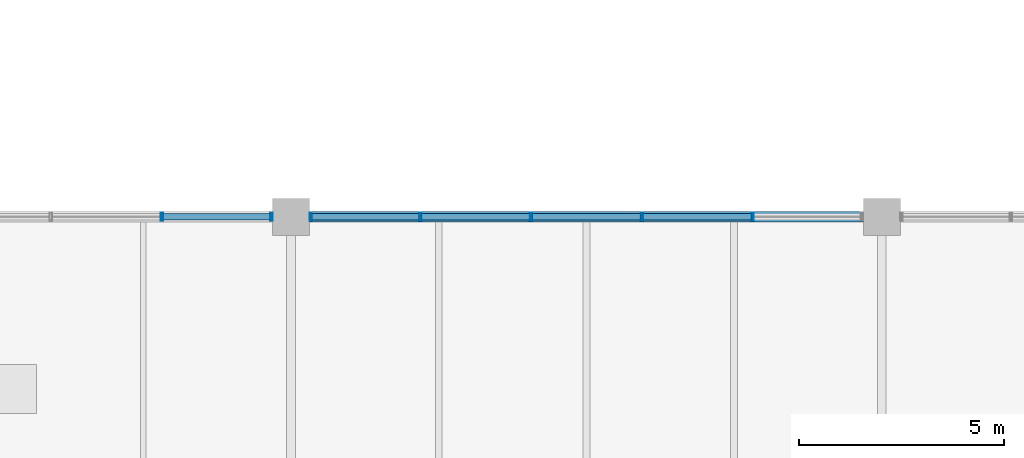
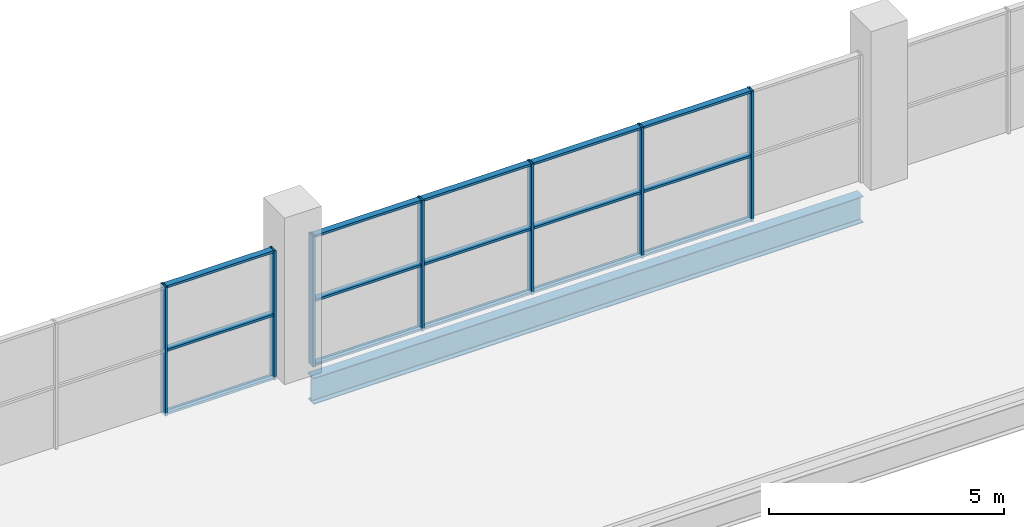
# One storey, part 25 of 93: 22 members, 1 beam, 2 elements without a shape of their own.
"""IFC4 building model written with IfcOpenShell, lengths in metres."""

from ifc_helpers import new_model, si_unit, direction, frame, origin, origin_2d, place, context, subcontext, project, spatial, hollow_rectangle, i_section, extrude, material, material_profile, profile_set, type_object, element, aggregate, save


model = new_model("IFC4")

# Units and contexts
model_context = context("Model", 3, precision=1e-05, world=origin(), true_north=direction((0.0, 1.0)))
body_context = subcontext(model_context, "Body", "Model", "MODEL_VIEW")
ifc_project = project(units=[si_unit("LENGTHUNIT", "METRE"), si_unit("AREAUNIT", "SQUARE_METRE"), si_unit("VOLUMEUNIT", "CUBIC_METRE"), si_unit("PLANEANGLEUNIT", "RADIAN"), si_unit("MASSUNIT", "GRAM", prefix="KILO"), si_unit("THERMODYNAMICTEMPERATUREUNIT", "KELVIN")], contexts=[model_context])

# Site, building, storey
site_placement = place(None, origin())
site = spatial("IfcSite", under=ifc_project, at=site_placement, CompositionType="ELEMENT")
building_placement = place(site_placement, origin())
building = spatial("IfcBuilding", under=site, at=building_placement, Name="Nduvali Passage Aquatics Centre", CompositionType="ELEMENT")
storey_placement = place(building_placement, frame((0.0, 0.0, 9.0)))
storey = spatial("IfcBuildingStorey", under=building, at=storey_placement, Name="L02", CompositionType="ELEMENT", Elevation=9.0)

# Curtain wall, members
ifc_material_1 = material(Name="Aluminium EN AW-6063 T6", Category="aluminium")
curtain_wall_type = type_object("IfcCurtainWallType", Name="ENV-CW-CLER", PredefinedType="NOTDEFINED", material=ifc_material_1)
curtain_wall_1_placement = place(storey_placement, origin())
curtain_wall_1 = element("IfcCurtainWall", 1, at=curtain_wall_1_placement, inside=storey, type_object=curtain_wall_type, Name="L02 South Pool Hall Eave Clerestory 049", PredefinedType="NOTDEFINED")
ifc_material_profile_1 = material_profile(ifc_material_1, hollow_rectangle(XDim=0.06005859375, YDim=0.199951171875, WallThickness=0.00390625, at=origin_2d()), Name="ALU MULLION 60x200x4")
ifc_profile_set_1 = profile_set([ifc_material_profile_1], Name="Aluminium EN AW-6063 T6")
member_type_1 = type_object("IfcMemberType", Name="ENV-MEM-MUL80", PredefinedType="MULLION", material=ifc_profile_set_1)
member_1_placement = place(storey_placement, frame((79.64990234375, 25.199951171875, 0.0), z_axis=(0.0, 0.0, 1.0), x_axis=(1.0, 0.0, 0.0)))
member_1 = element("IfcMember", 2, at=member_1_placement, type_object=member_type_1, Name="South Pool Hall Eave Clerestory Mullion 5", PredefinedType="MULLION", context=body_context, shape_type="SweptSolid", body=[
    extrude(hollow_rectangle(XDim=0.06005859375, YDim=0.199951171875, WallThickness=0.00390625, at=origin_2d()), origin(), (0.0, 0.0, 1.0), 3.3525390625),
])
member_2_placement = place(storey_placement, frame((82.320068359375, 25.199951171875, 0.0), z_axis=(0.0, 0.0, 1.0), x_axis=(1.0, 0.0, 0.0)))
member_2 = element("IfcMember", 3, at=member_2_placement, type_object=member_type_1, Name="South Pool Hall Eave Clerestory Mullion 6", PredefinedType="MULLION", context=body_context, shape_type="SweptSolid", body=[
    extrude(hollow_rectangle(XDim=0.06005859375, YDim=0.199951171875, WallThickness=0.00390625, at=origin_2d()), origin(), (0.0, 0.0, 1.0), 3.3525390625),
])

curtain_wall_2_placement = place(storey_placement, origin())
curtain_wall_2 = element("IfcCurtainWall", 4, at=curtain_wall_2_placement, inside=storey, type_object=curtain_wall_type, Name="L02 South Pool Hall Eave Clerestory 050", PredefinedType="NOTDEFINED")
member_3_placement = place(storey_placement, frame((83.280029296875, 25.199951171875, 0.0), z_axis=(0.0, 0.0, 1.0), x_axis=(1.0, 0.0, 0.0)))
member_3 = element("IfcMember", 5, at=member_3_placement, type_object=member_type_1, Name="South Pool Hall Eave Clerestory Mullion 1", PredefinedType="MULLION", context=body_context, shape_type="SweptSolid", body=[
    extrude(hollow_rectangle(XDim=0.06005859375, YDim=0.199951171875, WallThickness=0.00390625, at=origin_2d()), origin(), (0.0, 0.0, 1.0), 3.39404296875),
])
member_4_placement = place(storey_placement, frame((85.949951171875, 25.199951171875, 0.0), z_axis=(0.0, 0.0, 1.0), x_axis=(1.0, 0.0, 0.0)))
member_4 = element("IfcMember", 6, at=member_4_placement, type_object=member_type_1, Name="South Pool Hall Eave Clerestory Mullion 2", PredefinedType="MULLION", context=body_context, shape_type="SweptSolid", body=[
    extrude(hollow_rectangle(XDim=0.06005859375, YDim=0.199951171875, WallThickness=0.00390625, at=origin_2d()), origin(), (0.0, 0.0, 1.0), 3.39404296875),
])
member_5_placement = place(storey_placement, frame((88.64990234375, 25.199951171875, 0.0), z_axis=(0.0, 0.0, 1.0), x_axis=(1.0, 0.0, 0.0)))
member_5 = element("IfcMember", 7, at=member_5_placement, type_object=member_type_1, Name="South Pool Hall Eave Clerestory Mullion 3", PredefinedType="MULLION", context=body_context, shape_type="SweptSolid", body=[
    extrude(hollow_rectangle(XDim=0.06005859375, YDim=0.199951171875, WallThickness=0.00390625, at=origin_2d()), origin(), (0.0, 0.0, 1.0), 3.39404296875),
])
member_6_placement = place(storey_placement, frame((91.35009765625, 25.199951171875, 0.0), z_axis=(0.0, 0.0, 1.0), x_axis=(1.0, 0.0, 0.0)))
member_6 = element("IfcMember", 8, at=member_6_placement, type_object=member_type_1, Name="South Pool Hall Eave Clerestory Mullion 4", PredefinedType="MULLION", context=body_context, shape_type="SweptSolid", body=[
    extrude(hollow_rectangle(XDim=0.06005859375, YDim=0.199951171875, WallThickness=0.00390625, at=origin_2d()), origin(), (0.0, 0.0, 1.0), 3.39404296875),
])
member_7_placement = place(storey_placement, frame((94.050048828125, 25.199951171875, 0.0), z_axis=(0.0, 0.0, 1.0), x_axis=(1.0, 0.0, 0.0)))
member_7 = element("IfcMember", 9, at=member_7_placement, type_object=member_type_1, Name="South Pool Hall Eave Clerestory Mullion 5", PredefinedType="MULLION", context=body_context, shape_type="SweptSolid", body=[
    extrude(hollow_rectangle(XDim=0.06005859375, YDim=0.199951171875, WallThickness=0.00390625, at=origin_2d()), origin(), (0.0, 0.0, 1.0), 3.39404296875),
])

# Member
ifc_material_profile_2 = material_profile(ifc_material_1, hollow_rectangle(XDim=0.14990234375, YDim=0.06005859375, WallThickness=0.00390625, at=origin_2d()), Name="ALU TRANSOM 150x60x4")
ifc_profile_set_2 = profile_set([ifc_material_profile_2], Name="Aluminium EN AW-6063 T6")
member_type_2 = type_object("IfcMemberType", Name="ENV-MEM-TRN80", PredefinedType="USERDEFINED", material=ifc_profile_set_2)
member_8_placement = place(storey_placement, frame((79.679931640625, 25.199951171875, 0.030029296875), z_axis=(1.0, 0.0, 0.0), x_axis=(0.0, 1.0, 0.0)))
member_8 = element("IfcMember", 10, at=member_8_placement, type_object=member_type_2, Name="South Pool Hall Eave Clerestory Transom B5-R0", ObjectType="TRANSOM", PredefinedType="USERDEFINED", context=body_context, shape_type="SweptSolid", body=[
    extrude(hollow_rectangle(XDim=0.14990234375, YDim=0.06005859375, WallThickness=0.00390625, at=origin_2d()), origin(), (0.0, 0.0, 1.0), 2.610107421875),
])

member_9_placement = place(storey_placement, frame((79.679931640625, 25.199951171875, 1.67626953125), z_axis=(1.0, 0.0, 0.0), x_axis=(0.0, 1.0, 0.0)))
member_9 = element("IfcMember", 11, at=member_9_placement, type_object=member_type_2, Name="South Pool Hall Eave Clerestory Transom B5-R1", ObjectType="TRANSOM", PredefinedType="USERDEFINED", context=body_context, shape_type="SweptSolid", body=[
    extrude(hollow_rectangle(XDim=0.14990234375, YDim=0.06005859375, WallThickness=0.00390625, at=origin_2d()), origin(), (0.0, 0.0, 1.0), 2.610107421875),
])

member_10_placement = place(storey_placement, frame((79.679931640625, 25.199951171875, 3.322509765625), z_axis=(1.0, 0.0, 0.0), x_axis=(0.0, 1.0, 0.0)))
member_10 = element("IfcMember", 12, at=member_10_placement, type_object=member_type_2, Name="South Pool Hall Eave Clerestory Transom B5-R2", ObjectType="TRANSOM", PredefinedType="USERDEFINED", context=body_context, shape_type="SweptSolid", body=[
    extrude(hollow_rectangle(XDim=0.14990234375, YDim=0.06005859375, WallThickness=0.00390625, at=origin_2d()), origin(), (0.0, 0.0, 1.0), 2.610107421875),
])

aggregate(curtain_wall_1, [member_1, member_2, member_8, member_9, member_10])

member_11_placement = place(storey_placement, frame((83.31005859375, 25.199951171875, 0.030029296875), z_axis=(1.0, 0.0, 0.0), x_axis=(0.0, 1.0, 0.0)))
member_11 = element("IfcMember", 13, at=member_11_placement, type_object=member_type_2, Name="South Pool Hall Eave Clerestory Transom B1-R0", ObjectType="TRANSOM", PredefinedType="USERDEFINED", context=body_context, shape_type="SweptSolid", body=[
    extrude(hollow_rectangle(XDim=0.14990234375, YDim=0.06005859375, WallThickness=0.00390625, at=origin_2d()), origin(), (0.0, 0.0, 1.0), 2.60986328125),
])

member_12_placement = place(storey_placement, frame((83.31005859375, 25.199951171875, 1.697021484375), z_axis=(1.0, 0.0, 0.0), x_axis=(0.0, 1.0, 0.0)))
member_12 = element("IfcMember", 14, at=member_12_placement, type_object=member_type_2, Name="South Pool Hall Eave Clerestory Transom B1-R1", ObjectType="TRANSOM", PredefinedType="USERDEFINED", context=body_context, shape_type="SweptSolid", body=[
    extrude(hollow_rectangle(XDim=0.14990234375, YDim=0.06005859375, WallThickness=0.00390625, at=origin_2d()), origin(), (0.0, 0.0, 1.0), 2.60986328125),
])

member_13_placement = place(storey_placement, frame((83.31005859375, 25.199951171875, 3.364013671875), z_axis=(1.0, 0.0, 0.0), x_axis=(0.0, 1.0, 0.0)))
member_13 = element("IfcMember", 15, at=member_13_placement, type_object=member_type_2, Name="South Pool Hall Eave Clerestory Transom B1-R2", ObjectType="TRANSOM", PredefinedType="USERDEFINED", context=body_context, shape_type="SweptSolid", body=[
    extrude(hollow_rectangle(XDim=0.14990234375, YDim=0.06005859375, WallThickness=0.00390625, at=origin_2d()), origin(), (0.0, 0.0, 1.0), 2.60986328125),
])

member_14_placement = place(storey_placement, frame((85.97998046875, 25.199951171875, 0.030029296875), z_axis=(1.0, 0.0, 0.0), x_axis=(0.0, 1.0, 0.0)))
member_14 = element("IfcMember", 16, at=member_14_placement, type_object=member_type_2, Name="South Pool Hall Eave Clerestory Transom B2-R0", ObjectType="TRANSOM", PredefinedType="USERDEFINED", context=body_context, shape_type="SweptSolid", body=[
    extrude(hollow_rectangle(XDim=0.14990234375, YDim=0.06005859375, WallThickness=0.00390625, at=origin_2d()), origin(), (0.0, 0.0, 1.0), 2.64013671875),
])

member_15_placement = place(storey_placement, frame((85.97998046875, 25.199951171875, 1.697021484375), z_axis=(1.0, 0.0, 0.0), x_axis=(0.0, 1.0, 0.0)))
member_15 = element("IfcMember", 17, at=member_15_placement, type_object=member_type_2, Name="South Pool Hall Eave Clerestory Transom B2-R1", ObjectType="TRANSOM", PredefinedType="USERDEFINED", context=body_context, shape_type="SweptSolid", body=[
    extrude(hollow_rectangle(XDim=0.14990234375, YDim=0.06005859375, WallThickness=0.00390625, at=origin_2d()), origin(), (0.0, 0.0, 1.0), 2.64013671875),
])

member_16_placement = place(storey_placement, frame((85.97998046875, 25.199951171875, 3.364013671875), z_axis=(1.0, 0.0, 0.0), x_axis=(0.0, 1.0, 0.0)))
member_16 = element("IfcMember", 18, at=member_16_placement, type_object=member_type_2, Name="South Pool Hall Eave Clerestory Transom B2-R2", ObjectType="TRANSOM", PredefinedType="USERDEFINED", context=body_context, shape_type="SweptSolid", body=[
    extrude(hollow_rectangle(XDim=0.14990234375, YDim=0.06005859375, WallThickness=0.00390625, at=origin_2d()), origin(), (0.0, 0.0, 1.0), 2.64013671875),
])

member_17_placement = place(storey_placement, frame((88.679931640625, 25.199951171875, 0.030029296875), z_axis=(1.0, 0.0, 0.0), x_axis=(0.0, 1.0, 0.0)))
member_17 = element("IfcMember", 19, at=member_17_placement, type_object=member_type_2, Name="South Pool Hall Eave Clerestory Transom B3-R0", ObjectType="TRANSOM", PredefinedType="USERDEFINED", context=body_context, shape_type="SweptSolid", body=[
    extrude(hollow_rectangle(XDim=0.14990234375, YDim=0.06005859375, WallThickness=0.00390625, at=origin_2d()), origin(), (0.0, 0.0, 1.0), 2.64013671875),
])

member_18_placement = place(storey_placement, frame((88.679931640625, 25.199951171875, 1.697021484375), z_axis=(1.0, 0.0, 0.0), x_axis=(0.0, 1.0, 0.0)))
member_18 = element("IfcMember", 20, at=member_18_placement, type_object=member_type_2, Name="South Pool Hall Eave Clerestory Transom B3-R1", ObjectType="TRANSOM", PredefinedType="USERDEFINED", context=body_context, shape_type="SweptSolid", body=[
    extrude(hollow_rectangle(XDim=0.14990234375, YDim=0.06005859375, WallThickness=0.00390625, at=origin_2d()), origin(), (0.0, 0.0, 1.0), 2.64013671875),
])

member_19_placement = place(storey_placement, frame((88.679931640625, 25.199951171875, 3.364013671875), z_axis=(1.0, 0.0, 0.0), x_axis=(0.0, 1.0, 0.0)))
member_19 = element("IfcMember", 21, at=member_19_placement, type_object=member_type_2, Name="South Pool Hall Eave Clerestory Transom B3-R2", ObjectType="TRANSOM", PredefinedType="USERDEFINED", context=body_context, shape_type="SweptSolid", body=[
    extrude(hollow_rectangle(XDim=0.14990234375, YDim=0.06005859375, WallThickness=0.00390625, at=origin_2d()), origin(), (0.0, 0.0, 1.0), 2.64013671875),
])

member_20_placement = place(storey_placement, frame((91.3798828125, 25.199951171875, 0.030029296875), z_axis=(1.0, 0.0, 0.0), x_axis=(0.0, 1.0, 0.0)))
member_20 = element("IfcMember", 22, at=member_20_placement, type_object=member_type_2, Name="South Pool Hall Eave Clerestory Transom B4-R0", ObjectType="TRANSOM", PredefinedType="USERDEFINED", context=body_context, shape_type="SweptSolid", body=[
    extrude(hollow_rectangle(XDim=0.14990234375, YDim=0.06005859375, WallThickness=0.00390625, at=origin_2d()), origin(), (0.0, 0.0, 1.0), 2.64013671875),
])

member_21_placement = place(storey_placement, frame((91.3798828125, 25.199951171875, 1.697021484375), z_axis=(1.0, 0.0, 0.0), x_axis=(0.0, 1.0, 0.0)))
member_21 = element("IfcMember", 23, at=member_21_placement, type_object=member_type_2, Name="South Pool Hall Eave Clerestory Transom B4-R1", ObjectType="TRANSOM", PredefinedType="USERDEFINED", context=body_context, shape_type="SweptSolid", body=[
    extrude(hollow_rectangle(XDim=0.14990234375, YDim=0.06005859375, WallThickness=0.00390625, at=origin_2d()), origin(), (0.0, 0.0, 1.0), 2.64013671875),
])

member_22_placement = place(storey_placement, frame((91.3798828125, 25.199951171875, 3.364013671875), z_axis=(1.0, 0.0, 0.0), x_axis=(0.0, 1.0, 0.0)))
member_22 = element("IfcMember", 24, at=member_22_placement, type_object=member_type_2, Name="South Pool Hall Eave Clerestory Transom B4-R2", ObjectType="TRANSOM", PredefinedType="USERDEFINED", context=body_context, shape_type="SweptSolid", body=[
    extrude(hollow_rectangle(XDim=0.14990234375, YDim=0.06005859375, WallThickness=0.00390625, at=origin_2d()), origin(), (0.0, 0.0, 1.0), 2.64013671875),
])

aggregate(curtain_wall_2, [member_3, member_4, member_5, member_6, member_7, member_11, member_12, member_13, member_14, member_15, member_16, member_17, member_18, member_19, member_20, member_21, member_22])

# Beam
ifc_material_2 = material(Name="Steel S355", Category="steel")
ifc_material_profile_3 = material_profile(ifc_material_2, i_section(OverallWidth=0.253662109375, OverallDepth=0.68359375, WebThickness=0.012451171875, FlangeThickness=0.01904296875, FilletRadius=0.01513671875, at=origin_2d()), Name="UKB 686x254x140")
ifc_profile_set_3 = profile_set([ifc_material_profile_3], Name="Steel S355")
beam_type = type_object("IfcBeamType", Name="STR-BM-UKB686-EXT", PredefinedType="BEAM", material=ifc_profile_set_3)
beam_placement = place(storey_placement, frame((83.25, 25.199951171875, -0.605712890625), z_axis=(1.0, 0.0, 0.0), x_axis=(0.0, 1.0, 0.0)))
element("IfcBeam", 25, at=beam_placement, inside=storey, type_object=beam_type, Name="L02 Primary X-Girder B4E-0878", PredefinedType="BEAM", context=body_context, shape_type="SweptSolid", body=[
    extrude(i_section(OverallWidth=0.253662109375, OverallDepth=0.68359375, WebThickness=0.012451171875, FlangeThickness=0.01904296875, FilletRadius=0.01513671875, at=origin_2d()), origin(), (0.0, 0.0, 1.0), 13.5),
])

save(model, "model.ifc")
